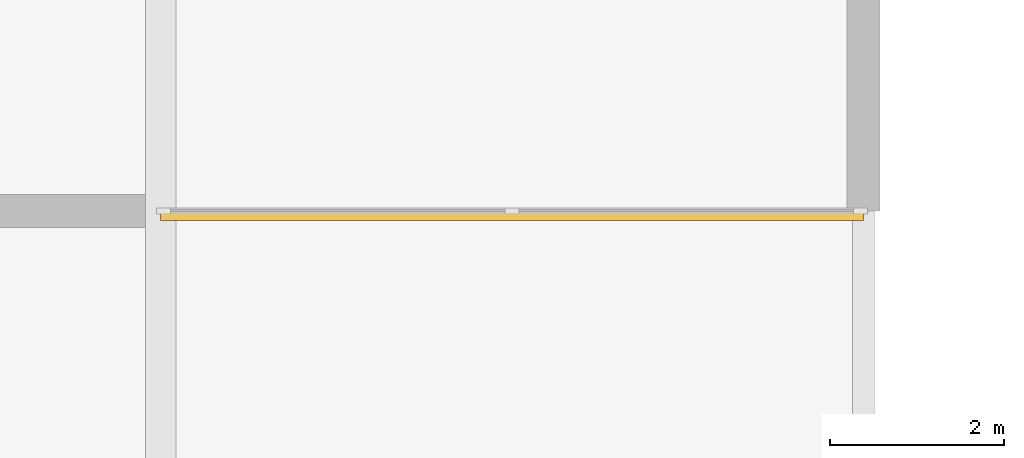
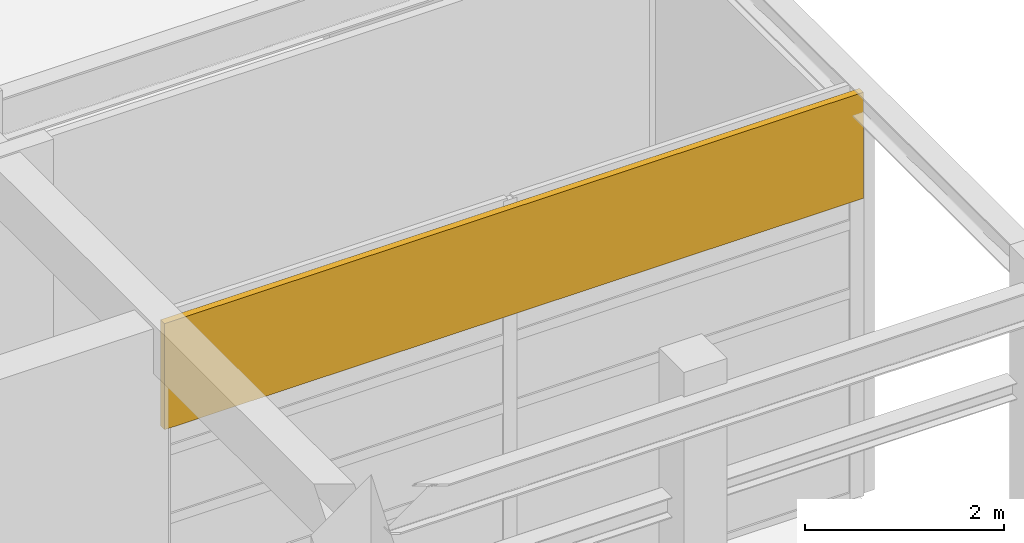
# One storey, part 47 of 52: 1 shading device.
"""IFC4 building model written with IfcOpenShell, lengths in metres."""

from ifc_helpers import new_model, si_unit, direction, frame, origin, origin_2d, place, context, subcontext, project, spatial, rectangle, extrude, material, layer, layer_set, type_object, element, save


model = new_model("IFC4")

# Units and contexts
model_context = context("Model", 3, precision=1e-05, world=origin(), true_north=direction((0.0, 1.0)))
body_context = subcontext(model_context, "Body", "Model", "MODEL_VIEW")
ifc_project = project(units=[si_unit("LENGTHUNIT", "METRE"), si_unit("AREAUNIT", "SQUARE_METRE"), si_unit("VOLUMEUNIT", "CUBIC_METRE"), si_unit("PLANEANGLEUNIT", "RADIAN"), si_unit("MASSUNIT", "GRAM", prefix="KILO")], contexts=[model_context])

# Site, building, storey
site_placement = place(None, origin())
site = spatial("IfcSite", under=ifc_project, at=site_placement, CompositionType="ELEMENT")
building_placement = place(site_placement, origin())
building = spatial("IfcBuilding", under=site, at=building_placement, Name="Parian Resonance Hall", CompositionType="ELEMENT")
storey_placement = place(building_placement, origin())
storey = spatial("IfcBuildingStorey", under=building, at=storey_placement, Name="L00", CompositionType="ELEMENT", Elevation=0.0)

# Shading device
ifc_material = material(Name="Patinated bronze persiana louver")
ifc_layer = layer(ifc_material, 0.080078125)
ifc_layer_set = layer_set([ifc_layer], Name="Patinated bronze persiana louver")
shading_device_type = type_object("IfcShadingDeviceType", Name="SHD-PERSIANA-JAL", PredefinedType="JALOUSIE", material=ifc_layer_set)
shading_device_placement = place(storey_placement, frame((109.35009765625, 3.9326171875, 3.7001953125), z_axis=(0.0, 0.0, 1.0), x_axis=(-1.0, 0.0, 0.0)))
element("IfcShadingDevice", 1, at=shading_device_placement, inside=storey, type_object=shading_device_type, Name="Bronze persiana storm jalousie L00-032", PredefinedType="JALOUSIE", context=body_context, shape_type="SweptSolid", body=[
    extrude(rectangle(XDim=8.10009765625, YDim=0.080078125, at=origin_2d()), origin(), (0.0, 0.0, 1.0), 1.300048828125),
])

save(model, "model.ifc")
